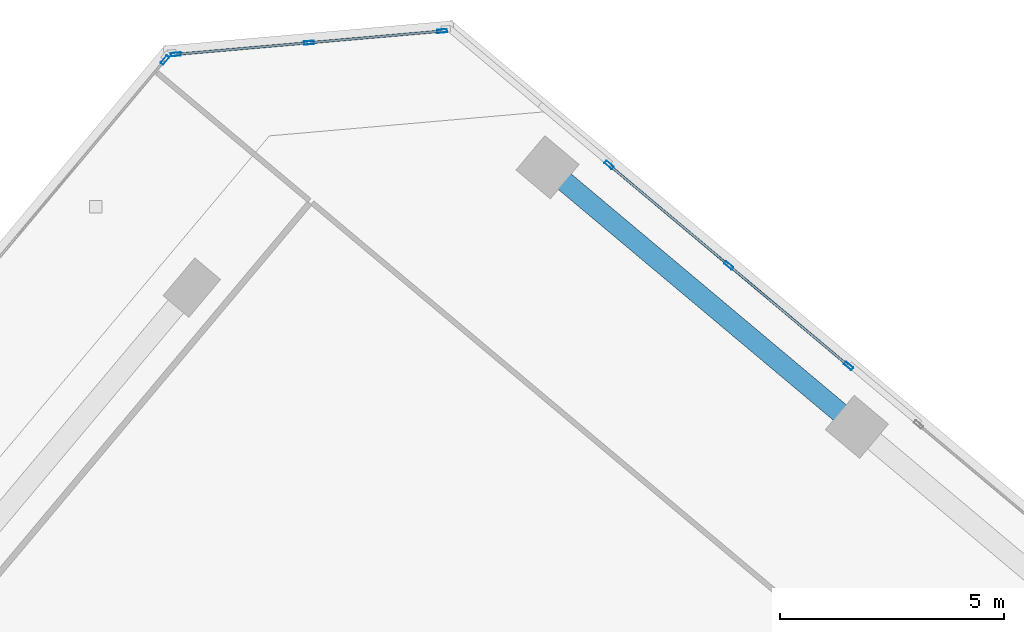
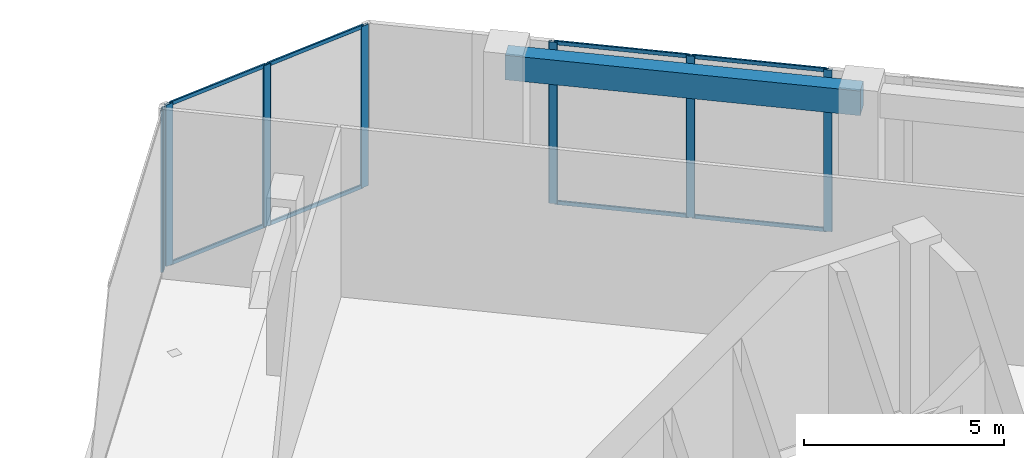
# One storey, part 9 of 17: 15 members, 1 beam, 3 elements without a shape of their own.
"""IFC4 building model written with IfcOpenShell, lengths in metres."""

from ifc_helpers import new_model, si_unit, direction, frame, origin, origin_2d, place, context, subcontext, project, spatial, rectangle, hollow_rectangle, extrude, source, transform, mapped, material, material_profile, profile_set, type_object, element, aggregate, save


model = new_model("IFC4")

# Units and contexts
model_context = context("Model", 3, precision=1e-05, world=origin(), true_north=direction((0.0, 1.0)))
body_context = subcontext(model_context, "Body", "Model", "MODEL_VIEW")
ifc_project = project(units=[si_unit("LENGTHUNIT", "METRE"), si_unit("AREAUNIT", "SQUARE_METRE"), si_unit("VOLUMEUNIT", "CUBIC_METRE"), si_unit("PLANEANGLEUNIT", "RADIAN"), si_unit("MASSUNIT", "GRAM", prefix="KILO")], contexts=[model_context])

# Site, building, storey
site_placement = place(None, origin())
site = spatial("IfcSite", under=ifc_project, at=site_placement, CompositionType="ELEMENT")
building_placement = place(site_placement, origin())
building = spatial("IfcBuilding", under=site, at=building_placement, Name="Torre Montelarca", CompositionType="ELEMENT")
storey_placement = place(building_placement, frame((0.0, 0.0, 215.199951171875)))
storey = spatial("IfcBuildingStorey", under=building, at=storey_placement, Name="L48", CompositionType="ELEMENT", Elevation=215.199951171875)

# Beam
ifc_material_1 = material(Name="Concrete C55/67", Category="concrete")
ifc_material_profile_1 = material_profile(ifc_material_1, rectangle(XDim=0.449951171875, YDim=0.75, at=origin_2d()), Name="RCB450X750", Category="concrete")
ifc_profile_set_1 = profile_set([ifc_material_profile_1], Name="Concrete C55/67")
beam_type = type_object("IfcBeamType", Name="BM-SP-RC750-EXT", PredefinedType="SPANDREL", material=ifc_profile_set_1)
shared_shape_1 = source(origin(), body_context, "Body", "SweptSolid", [
    extrude(rectangle(XDim=0.449951171875, YDim=0.75, at=origin_2d()), origin(), (0.0, 0.0, 1.0), 9.000244140625),
])
beam_placement = place(storey_placement, frame((21.66259765625, 51.640380859375, 4.78515625), z_axis=(0.766046761698, -0.642784846501, 0.0), x_axis=(0.642784846501, 0.766046761698, 0.0)))
element("IfcBeam", 1, at=beam_placement, inside=storey, type_object=beam_type, Name="L48 Grid Girder X 9.0-18.0 at Y=47.1", PredefinedType="SPANDREL", context=body_context, shape_type="MappedRepresentation", body=[
    mapped(shared_shape_1, transform((0.0, 0.0, 0.0), scale=1.0)),
])

# Curtain wall, members
ifc_material_2 = material(Name="Insulated low-E laminated glass", Category="glass")
curtain_wall_type = type_object("IfcCurtainWallType", Name="CW-SYS-Z3", PredefinedType="USERDEFINED", material=ifc_material_2)
curtain_wall_1_placement = place(storey_placement, origin())
curtain_wall_1 = element("IfcCurtainWall", 2, at=curtain_wall_1_placement, inside=storey, type_object=curtain_wall_type, Name="L48 Curtain Wall Run CW-T3-L48-E08-B3", ObjectType="UNITISED GLAZING", PredefinedType="USERDEFINED")
ifc_material_3 = material(Name="Anodised aluminium AA 6063-T6", Category="aluminium")
ifc_material_profile_2 = material_profile(ifc_material_3, hollow_rectangle(XDim=0.074951171875, YDim=0.219970703125, WallThickness=0.0048828125, InnerFilletRadius=0.0048828125, OuterFilletRadius=0.010009765625, at=origin_2d()), Name="ALU75X220X5", Category="aluminium")
ifc_profile_set_2 = profile_set([ifc_material_profile_2], Name="Anodised aluminium AA 6063-T6")
member_type_1 = type_object("IfcMemberType", Name="CWM-ALU220", PredefinedType="MULLION", material=ifc_profile_set_2)
shared_shape_2 = source(origin(), body_context, "Body", "SweptSolid", [
    extrude(hollow_rectangle(XDim=0.074951171875, YDim=0.219970703125, WallThickness=0.0048828125, InnerFilletRadius=0.0048828125, OuterFilletRadius=0.010009765625, at=origin_2d()), origin(), (0.0, 0.0, 1.0), 4.920166015625),
])
member_1_placement = place(storey_placement, frame((28.368896484375, 47.214111328125, 0.0), z_axis=(0.0, 0.0, 1.0), x_axis=(-0.642789243392, -0.766043072274, 0.0)))
member_1 = element("IfcMember", 3, at=member_1_placement, type_object=member_type_1, Name="CW mullion 1", PredefinedType="MULLION", context=body_context, shape_type="MappedRepresentation", body=[
    mapped(shared_shape_2, transform((0.0, 0.0, 0.0), scale=1.0)),
])
member_2_placement = place(storey_placement, frame((25.701171875, 49.45263671875, 0.0), z_axis=(0.0, 0.0, 1.0), x_axis=(-0.642789243392, -0.766043072274, 0.0)))
member_2 = element("IfcMember", 4, at=member_2_placement, type_object=member_type_1, Name="CW mullion 2", PredefinedType="MULLION", context=body_context, shape_type="MappedRepresentation", body=[
    mapped(shared_shape_2, transform((0.0, 0.0, 0.0), scale=1.0)),
])
member_3_placement = place(storey_placement, frame((23.033447265625, 51.691162109375, 0.0), z_axis=(0.0, 0.0, 1.0), x_axis=(-0.642789243392, -0.766043072274, 0.0)))
member_3 = element("IfcMember", 5, at=member_3_placement, type_object=member_type_1, Name="CW mullion 3", PredefinedType="MULLION", context=body_context, shape_type="MappedRepresentation", body=[
    mapped(shared_shape_2, transform((0.0, 0.0, 0.0), scale=1.0)),
])

curtain_wall_2_placement = place(storey_placement, origin())
curtain_wall_2 = element("IfcCurtainWall", 6, at=curtain_wall_2_placement, inside=storey, type_object=curtain_wall_type, Name="L48 Curtain Wall Run CW-T3-L48-E09-B1", ObjectType="UNITISED GLAZING", PredefinedType="USERDEFINED")
member_4_placement = place(storey_placement, frame((19.31201171875, 54.676025390625, 0.0), z_axis=(0.0, 0.0, 1.0), x_axis=(0.087182579501, -0.996192349816, 0.0)))
member_4 = element("IfcMember", 7, at=member_4_placement, type_object=member_type_1, Name="CW mullion 1", PredefinedType="MULLION", context=body_context, shape_type="MappedRepresentation", body=[
    mapped(shared_shape_2, transform((0.0, 0.0, 0.0), scale=1.0)),
])
member_5_placement = place(storey_placement, frame((16.3447265625, 54.416259765625, 0.0), z_axis=(0.0, 0.0, 1.0), x_axis=(0.087182579501, -0.996192349816, 0.0)))
member_5 = element("IfcMember", 8, at=member_5_placement, type_object=member_type_1, Name="CW mullion 2", PredefinedType="MULLION", context=body_context, shape_type="MappedRepresentation", body=[
    mapped(shared_shape_2, transform((0.0, 0.0, 0.0), scale=1.0)),
])
member_6_placement = place(storey_placement, frame((13.37744140625, 54.156494140625, 0.0), z_axis=(0.0, 0.0, 1.0), x_axis=(0.087182579501, -0.996192349816, 0.0)))
member_6 = element("IfcMember", 9, at=member_6_placement, type_object=member_type_1, Name="CW mullion 3", PredefinedType="MULLION", context=body_context, shape_type="MappedRepresentation", body=[
    mapped(shared_shape_2, transform((0.0, 0.0, 0.0), scale=1.0)),
])

# Curtain wall, member
curtain_wall_3_placement = place(storey_placement, origin())
curtain_wall_3 = element("IfcCurtainWall", 10, at=curtain_wall_3_placement, inside=storey, type_object=curtain_wall_type, Name="L48 Curtain Wall Run CW-T3-L48-E10-B1", ObjectType="UNITISED GLAZING", PredefinedType="USERDEFINED")
member_7_placement = place(storey_placement, frame((13.13232421875, 54.029052734375, 0.0), z_axis=(0.0, 0.0, 1.0), x_axis=(0.766043772472, -0.642788408931, 0.0)))
member_7 = element("IfcMember", 11, at=member_7_placement, type_object=member_type_1, Name="CW mullion 1", PredefinedType="MULLION", context=body_context, shape_type="MappedRepresentation", body=[
    mapped(shared_shape_2, transform((0.0, 0.0, 0.0), scale=1.0)),
])
aggregate(curtain_wall_3, [member_7])

# Member
ifc_material_profile_3 = material_profile(ifc_material_3, hollow_rectangle(XDim=0.054931640625, YDim=0.1201171875, WallThickness=0.00341796875, InnerFilletRadius=0.00341796875, OuterFilletRadius=0.007080078125, at=origin_2d()), Name="ALU55X120X3.5", Category="aluminium")
ifc_profile_set_3 = profile_set([ifc_material_profile_3], Name="Anodised aluminium AA 6063-T6")
member_type_2 = type_object("IfcMemberType", Name="CWT-ALU120", PredefinedType="USERDEFINED", material=ifc_profile_set_3)
shared_shape_3 = source(origin(), body_context, "Body", "SweptSolid", [
    extrude(hollow_rectangle(XDim=0.054931640625, YDim=0.1201171875, WallThickness=0.00341796875, InnerFilletRadius=0.00341796875, OuterFilletRadius=0.007080078125, at=origin_2d()), origin(), (0.0, 0.0, 1.0), 2.903564453125),
])
member_8_placement = place(storey_placement, frame((19.274658203125, 54.672607421875, 0.027587890625), z_axis=(-0.996191526826, -0.087191982893, 0.0), x_axis=(0.087191982893, -0.996191526826, 0.0)))
member_8 = element("IfcMember", 12, at=member_8_placement, type_object=member_type_2, Name="CW transom 1.1", ObjectType="TRANSOM", PredefinedType="USERDEFINED", context=body_context, shape_type="MappedRepresentation", body=[
    mapped(shared_shape_3, transform((0.0, 0.0, 0.0), scale=1.0)),
])

member_9_placement = place(storey_placement, frame((19.274658203125, 54.672607421875, 4.892578125), z_axis=(-0.996191526826, -0.087191982893, 0.0), x_axis=(0.087191982893, -0.996191526826, 0.0)))
member_9 = element("IfcMember", 13, at=member_9_placement, type_object=member_type_2, Name="CW transom 1.2", ObjectType="TRANSOM", PredefinedType="USERDEFINED", context=body_context, shape_type="MappedRepresentation", body=[
    mapped(shared_shape_3, transform((0.0, 0.0, 0.0), scale=1.0)),
])

member_10_placement = place(storey_placement, frame((16.307373046875, 54.4130859375, 0.027587890625), z_axis=(-0.996191526826, -0.087191982893, 0.0), x_axis=(0.087191982893, -0.996191526826, 0.0)))
member_10 = element("IfcMember", 14, at=member_10_placement, type_object=member_type_2, Name="CW transom 2.1", ObjectType="TRANSOM", PredefinedType="USERDEFINED", context=body_context, shape_type="MappedRepresentation", body=[
    mapped(shared_shape_3, transform((0.0, 0.0, 0.0), scale=1.0)),
])

member_11_placement = place(storey_placement, frame((16.307373046875, 54.4130859375, 4.892578125), z_axis=(-0.996191526826, -0.087191982893, 0.0), x_axis=(0.087191982893, -0.996191526826, 0.0)))
member_11 = element("IfcMember", 15, at=member_11_placement, type_object=member_type_2, Name="CW transom 2.2", ObjectType="TRANSOM", PredefinedType="USERDEFINED", context=body_context, shape_type="MappedRepresentation", body=[
    mapped(shared_shape_3, transform((0.0, 0.0, 0.0), scale=1.0)),
])

aggregate(curtain_wall_2, [member_4, member_5, member_6, member_8, member_9, member_10, member_11])

shared_shape_4 = source(origin(), body_context, "Body", "SweptSolid", [
    extrude(hollow_rectangle(XDim=0.054931640625, YDim=0.1201171875, WallThickness=0.00341796875, InnerFilletRadius=0.00341796875, OuterFilletRadius=0.007080078125, at=origin_2d()), origin(), (0.0, 0.0, 1.0), 3.407470703125),
])
member_12_placement = place(storey_placement, frame((28.34033203125, 47.23828125, 0.027587890625), z_axis=(-0.766067489569, 0.642760142997, 0.0), x_axis=(-0.642760142997, -0.766067489569, 0.0)))
member_12 = element("IfcMember", 16, at=member_12_placement, type_object=member_type_2, Name="CW transom 1.1", ObjectType="TRANSOM", PredefinedType="USERDEFINED", context=body_context, shape_type="MappedRepresentation", body=[
    mapped(shared_shape_4, transform((0.0, 0.0, 0.0), scale=1.0)),
])

member_13_placement = place(storey_placement, frame((28.34033203125, 47.23828125, 4.892578125), z_axis=(-0.766067489569, 0.642760142997, 0.0), x_axis=(-0.642760142997, -0.766067489569, 0.0)))
member_13 = element("IfcMember", 17, at=member_13_placement, type_object=member_type_2, Name="CW transom 1.2", ObjectType="TRANSOM", PredefinedType="USERDEFINED", context=body_context, shape_type="MappedRepresentation", body=[
    mapped(shared_shape_4, transform((0.0, 0.0, 0.0), scale=1.0)),
])

member_14_placement = place(storey_placement, frame((25.672607421875, 49.476806640625, 0.027587890625), z_axis=(-0.766067489569, 0.642760142997, 0.0), x_axis=(-0.642760142997, -0.766067489569, 0.0)))
member_14 = element("IfcMember", 18, at=member_14_placement, type_object=member_type_2, Name="CW transom 2.1", ObjectType="TRANSOM", PredefinedType="USERDEFINED", context=body_context, shape_type="MappedRepresentation", body=[
    mapped(shared_shape_4, transform((0.0, 0.0, 0.0), scale=1.0)),
])

member_15_placement = place(storey_placement, frame((25.672607421875, 49.476806640625, 4.892578125), z_axis=(-0.766067489569, 0.642760142997, 0.0), x_axis=(-0.642760142997, -0.766067489569, 0.0)))
member_15 = element("IfcMember", 19, at=member_15_placement, type_object=member_type_2, Name="CW transom 2.2", ObjectType="TRANSOM", PredefinedType="USERDEFINED", context=body_context, shape_type="MappedRepresentation", body=[
    mapped(shared_shape_4, transform((0.0, 0.0, 0.0), scale=1.0)),
])

aggregate(curtain_wall_1, [member_1, member_2, member_3, member_12, member_13, member_14, member_15])

save(model, "model.ifc")
